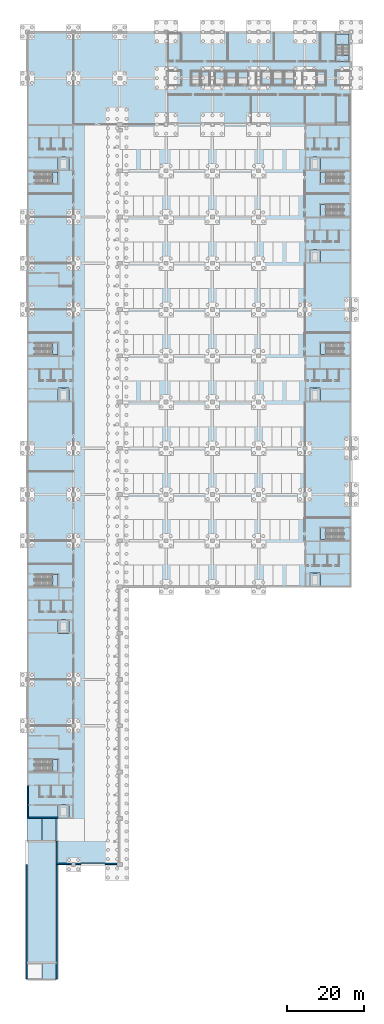
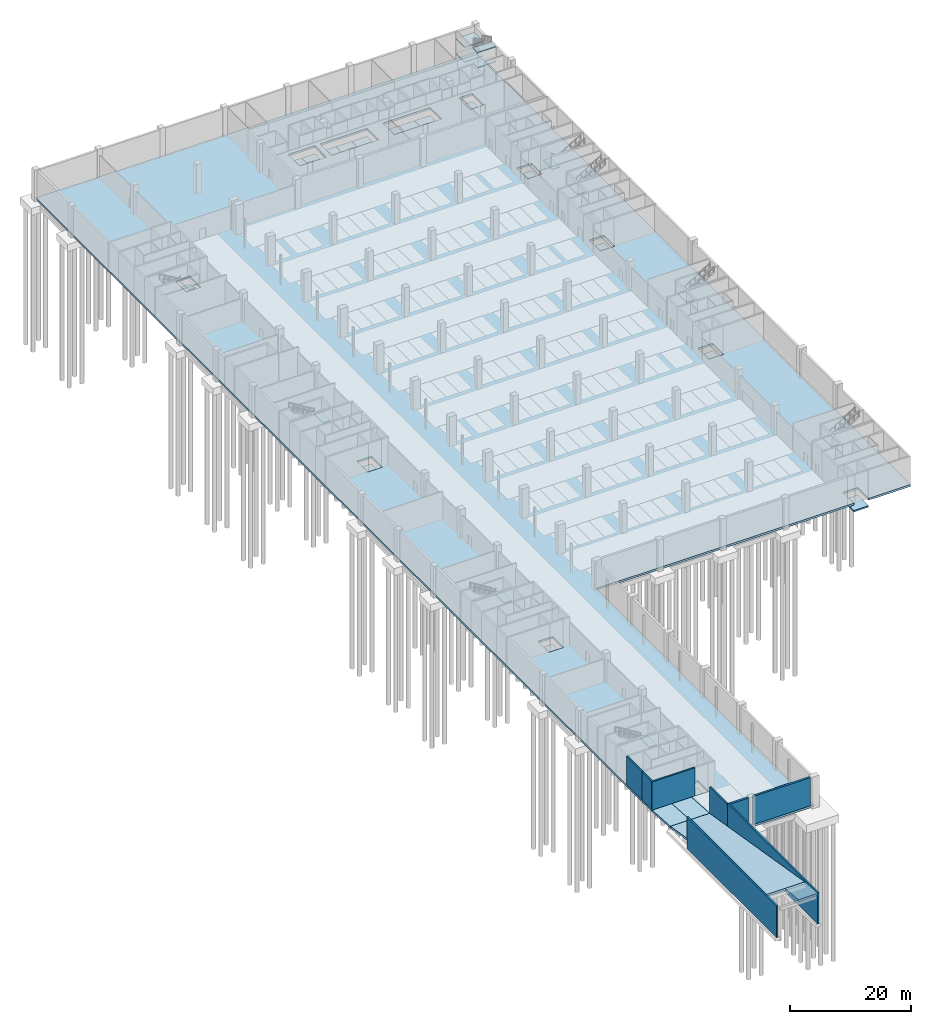
# One storey, part 15 of 34: 34 slabs, 8 walls, 9 elements without a shape of their own.
"""IFC4 building model written with IfcOpenShell, lengths in metres."""

from ifc_helpers import new_model, si_unit, direction, frame, frame_2d, origin, place, context, subcontext, project, spatial, polyline, rectangle, outline, extrude, material, layer, layer_set, type_object, element, aggregate, save


model = new_model("IFC4")

# Units and contexts
model_context = context("Model", 3, precision=1e-05, world=origin(), true_north=direction((0.0, 1.0)))
body_context = subcontext(model_context, "Body", "Model", "MODEL_VIEW")
ifc_project = project(units=[si_unit("LENGTHUNIT", "METRE"), si_unit("AREAUNIT", "SQUARE_METRE"), si_unit("VOLUMEUNIT", "CUBIC_METRE"), si_unit("PLANEANGLEUNIT", "RADIAN"), si_unit("MASSUNIT", "GRAM", prefix="KILO")], contexts=[model_context])

# Site, building, storey
site_placement = place(None, origin())
site = spatial("IfcSite", under=ifc_project, at=site_placement, CompositionType="ELEMENT")
building_placement = place(site_placement, origin())
building = spatial("IfcBuilding", under=site, at=building_placement, Name="Lilac Gate Convention Centre", CompositionType="ELEMENT")
storey_placement = place(building_placement, frame((0.0, 0.0, -6.0)))
storey = spatial("IfcBuildingStorey", under=building, at=storey_placement, Name="B1", CompositionType="ELEMENT", Elevation=-6.0)

# Slab
ifc_material_1 = material(Name="Concrete C40", Category="concrete")
ifc_layer_1 = layer(ifc_material_1, 0.39990234375)
ifc_layer_set_1 = layer_set([ifc_layer_1], Name="Concrete C40")
slab_type_1 = type_object("IfcSlabType", Name="Base slab 400 C40", PredefinedType="BASESLAB", material=ifc_layer_set_1)
slab_1_placement = place(storey_placement, frame((0.0, 0.0, -0.39990234375)))
element("IfcSlab", 1, at=slab_1_placement, inside=storey, type_object=slab_type_1, Name="BS1 slab B1 1", PredefinedType="BASESLAB", context=body_context, shape_type="SweptSolid", body=[
    extrude(outline(polyline([(90.0, 246.0), (90.0, 102.0), (82.0, 102.0), (82.0, 105.60009765625), (79.199951171875, 105.60009765625), (79.199951171875, 102.0), (30.0, 102.0), (30.0, 30.0), (13.5, 30.0), (13.5, 41.97998046875), (6.0, 41.97998046875), (6.0, 246.0), (90.0, 246.0)]), holes=[polyline([(16.800048828125, 45.60009765625), (14.0, 45.60009765625), (14.0, 42.0), (16.800048828125, 42.0), (16.800048828125, 45.60009765625)]), polyline([(16.800048828125, 93.60009765625), (14.0, 93.60009765625), (14.0, 90.0), (16.800048828125, 90.0), (16.800048828125, 93.60009765625)]), polyline([(16.800048828125, 153.60009765625), (14.0, 153.60009765625), (14.0, 150.0), (16.800048828125, 150.0), (16.800048828125, 153.60009765625)]), polyline([(16.800048828125, 213.60009765625), (14.0, 213.60009765625), (14.0, 210.0), (16.800048828125, 210.0), (16.800048828125, 213.60009765625)]), polyline([(50.949951171875, 235.89990234375), (48.39990234375, 235.89990234375), (48.39990234375, 232.10009765625), (50.949951171875, 232.10009765625), (53.5, 232.10009765625), (53.5, 235.89990234375), (50.949951171875, 235.89990234375)]), polyline([(57.5, 235.89990234375), (54.5, 235.89990234375), (54.5, 232.10009765625), (57.5, 232.10009765625), (60.5, 232.10009765625), (63.5, 232.10009765625), (63.5, 235.89990234375), (60.5, 235.89990234375), (57.5, 235.89990234375)]), polyline([(82.0, 153.60009765625), (79.199951171875, 153.60009765625), (79.199951171875, 150.0), (82.0, 150.0), (82.0, 153.60009765625)]), polyline([(82.0, 189.60009765625), (79.199951171875, 189.60009765625), (79.199951171875, 186.0), (82.0, 186.0), (82.0, 189.60009765625)]), polyline([(82.0, 213.60009765625), (79.199951171875, 213.60009765625), (79.199951171875, 210.0), (82.0, 210.0), (82.0, 213.60009765625)]), polyline([(69.5, 235.89990234375), (66.5, 235.89990234375), (66.5, 232.10009765625), (69.5, 232.10009765625), (72.5, 232.10009765625), (75.5, 232.10009765625), (75.5, 235.89990234375), (72.5, 235.89990234375), (69.5, 235.89990234375)]), polyline([(83.60009765625, 232.10009765625), (83.60009765625, 235.89990234375), (81.0, 235.89990234375), (81.0, 232.10009765625), (83.60009765625, 232.10009765625)])]), origin(), (0.0, 0.0, 1.0), 0.39990234375),
])

# Stair, slabs
stair_type_1 = type_object("IfcStairType", Name="Exit stair", PredefinedType="DOUBLE_RETURN_STAIR", material=ifc_material_1)
stair_1_placement = place(storey_placement, origin())
stair_1 = element("IfcStair", 2, at=stair_1_placement, inside=storey, type_object=stair_type_1, Name="Exit stair BN B1", PredefinedType="DOUBLE_RETURN_STAIR")
ifc_layer_2 = layer(ifc_material_1, 0.199951171875)
ifc_layer_set_2 = layer_set([ifc_layer_2], Name="Concrete C40")
slab_type_2 = type_object("IfcSlabType", Name="Exit stair landing", PredefinedType="LANDING", material=ifc_layer_set_2)
slab_2_placement = place(storey_placement, frame((0.0, 0.0, 1.300048828125)))
slab_2 = element("IfcSlab", 3, at=slab_2_placement, type_object=slab_type_2, Name="ST-BN landing 1", PredefinedType="LANDING", context=body_context, shape_type="SweptSolid", body=[
    extrude(outline(polyline([(86.0, 242.60009765625), (89.5, 242.60009765625), (89.5, 245.5), (86.0, 245.5), (86.0, 242.60009765625)])), origin(), (0.0, 0.0, 1.0), 0.199951171875),
])
slab_3_placement = place(storey_placement, frame((0.0, 0.0, 2.800048828125)))
slab_3 = element("IfcSlab", 4, at=slab_3_placement, type_object=slab_type_2, Name="ST-BN landing 2", PredefinedType="LANDING", context=body_context, shape_type="SweptSolid", body=[
    extrude(outline(polyline([(86.0, 238.300048828125), (89.5, 238.300048828125), (89.5, 239.89990234375), (86.0, 239.89990234375), (86.0, 238.300048828125)])), origin(), (0.0, 0.0, 1.0), 0.199951171875),
])
slab_4_placement = place(storey_placement, frame((0.0, 0.0, 4.300048828125)))
slab_4 = element("IfcSlab", 5, at=slab_4_placement, type_object=slab_type_2, Name="ST-BN landing 3", PredefinedType="LANDING", context=body_context, shape_type="SweptSolid", body=[
    extrude(outline(polyline([(86.0, 242.60009765625), (89.5, 242.60009765625), (89.5, 245.5), (86.0, 245.5), (86.0, 242.60009765625)])), origin(), (0.0, 0.0, 1.0), 0.199951171875),
])
slab_5_placement = place(storey_placement, frame((0.0, 0.0, 5.800048828125)))
slab_5 = element("IfcSlab", 6, at=slab_5_placement, type_object=slab_type_2, Name="ST-BN landing 4", PredefinedType="LANDING", context=body_context, shape_type="SweptSolid", body=[
    extrude(outline(polyline([(86.0, 238.300048828125), (89.5, 238.300048828125), (89.5, 239.89990234375), (86.0, 239.89990234375), (86.0, 238.300048828125)])), origin(), (0.0, 0.0, 1.0), 0.199951171875),
])
aggregate(stair_1, [slab_2, slab_3, slab_4, slab_5])

# Slabs
ifc_layer_3 = layer(ifc_material_1, 0.300048828125)
ifc_layer_set_3 = layer_set([ifc_layer_3], Name="Concrete C40")
slab_type_3 = type_object("IfcSlabType", Name="Lift pit slab 300", PredefinedType="BASESLAB", material=ifc_layer_set_3)
slab_6_placement = place(storey_placement, frame((0.0, 0.0, -1.800048828125)))
element("IfcSlab", 7, at=slab_6_placement, inside=storey, type_object=slab_type_3, Name="Lift pit slab W1", PredefinedType="BASESLAB", context=body_context, shape_type="SweptSolid", body=[
    extrude(outline(polyline([(14.0, 42.0), (16.800048828125, 42.0), (16.800048828125, 45.60009765625), (14.0, 45.60009765625), (14.0, 42.0)])), origin(), (0.0, 0.0, 1.0), 0.300048828125),
])
slab_7_placement = place(storey_placement, frame((0.0, 0.0, -1.800048828125)))
element("IfcSlab", 8, at=slab_7_placement, inside=storey, type_object=slab_type_3, Name="Lift pit slab W2", PredefinedType="BASESLAB", context=body_context, shape_type="SweptSolid", body=[
    extrude(outline(polyline([(14.0, 90.0), (16.800048828125, 90.0), (16.800048828125, 93.60009765625), (14.0, 93.60009765625), (14.0, 90.0)])), origin(), (0.0, 0.0, 1.0), 0.300048828125),
])
slab_8_placement = place(storey_placement, frame((0.0, 0.0, -1.800048828125)))
element("IfcSlab", 9, at=slab_8_placement, inside=storey, type_object=slab_type_3, Name="Lift pit slab W3", PredefinedType="BASESLAB", context=body_context, shape_type="SweptSolid", body=[
    extrude(outline(polyline([(14.0, 150.0), (16.800048828125, 150.0), (16.800048828125, 153.60009765625), (14.0, 153.60009765625), (14.0, 150.0)])), origin(), (0.0, 0.0, 1.0), 0.300048828125),
])
slab_9_placement = place(storey_placement, frame((0.0, 0.0, -1.800048828125)))
element("IfcSlab", 10, at=slab_9_placement, inside=storey, type_object=slab_type_3, Name="Lift pit slab W4", PredefinedType="BASESLAB", context=body_context, shape_type="SweptSolid", body=[
    extrude(outline(polyline([(14.0, 210.0), (16.800048828125, 210.0), (16.800048828125, 213.60009765625), (14.0, 213.60009765625), (14.0, 210.0)])), origin(), (0.0, 0.0, 1.0), 0.300048828125),
])
slab_10_placement = place(storey_placement, frame((0.0, 0.0, -1.800048828125)))
element("IfcSlab", 11, at=slab_10_placement, inside=storey, type_object=slab_type_3, Name="Lift pit slab E1", PredefinedType="BASESLAB", context=body_context, shape_type="SweptSolid", body=[
    extrude(outline(polyline([(79.199951171875, 102.0), (82.0, 102.0), (82.0, 105.60009765625), (79.199951171875, 105.60009765625), (79.199951171875, 102.0)])), origin(), (0.0, 0.0, 1.0), 0.300048828125),
])
slab_11_placement = place(storey_placement, frame((0.0, 0.0, -1.800048828125)))
element("IfcSlab", 12, at=slab_11_placement, inside=storey, type_object=slab_type_3, Name="Lift pit slab E2", PredefinedType="BASESLAB", context=body_context, shape_type="SweptSolid", body=[
    extrude(outline(polyline([(79.199951171875, 150.0), (82.0, 150.0), (82.0, 153.60009765625), (79.199951171875, 153.60009765625), (79.199951171875, 150.0)])), origin(), (0.0, 0.0, 1.0), 0.300048828125),
])
slab_12_placement = place(storey_placement, frame((0.0, 0.0, -1.800048828125)))
element("IfcSlab", 13, at=slab_12_placement, inside=storey, type_object=slab_type_3, Name="Lift pit slab E3", PredefinedType="BASESLAB", context=body_context, shape_type="SweptSolid", body=[
    extrude(outline(polyline([(79.199951171875, 186.0), (82.0, 186.0), (82.0, 189.60009765625), (79.199951171875, 189.60009765625), (79.199951171875, 186.0)])), origin(), (0.0, 0.0, 1.0), 0.300048828125),
])
slab_13_placement = place(storey_placement, frame((0.0, 0.0, -1.800048828125)))
element("IfcSlab", 14, at=slab_13_placement, inside=storey, type_object=slab_type_3, Name="Lift pit slab E4", PredefinedType="BASESLAB", context=body_context, shape_type="SweptSolid", body=[
    extrude(outline(polyline([(79.199951171875, 210.0), (82.0, 210.0), (82.0, 213.60009765625), (79.199951171875, 213.60009765625), (79.199951171875, 210.0)])), origin(), (0.0, 0.0, 1.0), 0.300048828125),
])

# Stair, slab
stair_type_2 = type_object("IfcStairType", Name="Exit stair two flights", PredefinedType="HALF_TURN_STAIR", material=ifc_material_1)
stair_2_placement = place(storey_placement, origin())
stair_2 = element("IfcStair", 15, at=stair_2_placement, inside=storey, type_object=stair_type_2, Name="Exit stair BW1 B1 to L00", PredefinedType="HALF_TURN_STAIR")
ifc_layer_4 = layer(ifc_material_1, 0.199951171875)
ifc_layer_set_4 = layer_set([ifc_layer_4], Name="Concrete C40")
slab_type_4 = type_object("IfcSlabType", Name="Stair landing 200 precast", PredefinedType="LANDING", material=ifc_layer_set_4)
slab_14_placement = place(storey_placement, frame((0.0, 0.0, 2.800048828125)))
slab_14 = element("IfcSlab", 16, at=slab_14_placement, type_object=slab_type_4, Name="ST39 landing 1", PredefinedType="LANDING", context=body_context, shape_type="SweptSolid", body=[
    extrude(outline(polyline([(12.56005859375, 54.300048828125), (14.0, 54.300048828125), (14.0, 57.300048828125), (12.56005859375, 57.300048828125), (12.56005859375, 54.300048828125)])), origin(), (0.0, 0.0, 1.0), 0.199951171875),
])
aggregate(stair_2, [slab_14])

stair_3_placement = place(storey_placement, origin())
stair_3 = element("IfcStair", 17, at=stair_3_placement, inside=storey, type_object=stair_type_2, Name="Exit stair BW2 B1 to L00", PredefinedType="HALF_TURN_STAIR")
slab_15_placement = place(storey_placement, frame((0.0, 0.0, 2.800048828125)))
slab_15 = element("IfcSlab", 18, at=slab_15_placement, type_object=slab_type_4, Name="ST40 landing 1", PredefinedType="LANDING", context=body_context, shape_type="SweptSolid", body=[
    extrude(outline(polyline([(12.56005859375, 102.300048828125), (14.0, 102.300048828125), (14.0, 105.300048828125), (12.56005859375, 105.300048828125), (12.56005859375, 102.300048828125)])), origin(), (0.0, 0.0, 1.0), 0.199951171875),
])
aggregate(stair_3, [slab_15])

stair_4_placement = place(storey_placement, origin())
stair_4 = element("IfcStair", 19, at=stair_4_placement, inside=storey, type_object=stair_type_2, Name="Exit stair BW3 B1 to L00", PredefinedType="HALF_TURN_STAIR")
slab_16_placement = place(storey_placement, frame((0.0, 0.0, 2.800048828125)))
slab_16 = element("IfcSlab", 20, at=slab_16_placement, type_object=slab_type_4, Name="ST41 landing 1", PredefinedType="LANDING", context=body_context, shape_type="SweptSolid", body=[
    extrude(outline(polyline([(12.56005859375, 162.300048828125), (14.0, 162.300048828125), (14.0, 165.300048828125), (12.56005859375, 165.300048828125), (12.56005859375, 162.300048828125)])), origin(), (0.0, 0.0, 1.0), 0.199951171875),
])
aggregate(stair_4, [slab_16])

stair_5_placement = place(storey_placement, origin())
stair_5 = element("IfcStair", 21, at=stair_5_placement, inside=storey, type_object=stair_type_2, Name="Exit stair BW4 B1 to L00", PredefinedType="HALF_TURN_STAIR")
slab_17_placement = place(storey_placement, frame((0.0, 0.0, 2.800048828125)))
slab_17 = element("IfcSlab", 22, at=slab_17_placement, type_object=slab_type_4, Name="ST42 landing 1", PredefinedType="LANDING", context=body_context, shape_type="SweptSolid", body=[
    extrude(outline(polyline([(12.56005859375, 206.699951171875), (14.0, 206.699951171875), (14.0, 209.699951171875), (12.56005859375, 209.699951171875), (12.56005859375, 206.699951171875)])), origin(), (0.0, 0.0, 1.0), 0.199951171875),
])
aggregate(stair_5, [slab_17])

stair_6_placement = place(storey_placement, origin())
stair_6 = element("IfcStair", 23, at=stair_6_placement, inside=storey, type_object=stair_type_2, Name="Exit stair BE1 B1 to L00", PredefinedType="HALF_TURN_STAIR")
slab_18_placement = place(storey_placement, frame((0.0, 0.0, 2.800048828125)))
slab_18 = element("IfcSlab", 24, at=slab_18_placement, type_object=slab_type_4, Name="ST43 landing 1", PredefinedType="LANDING", context=body_context, shape_type="SweptSolid", body=[
    extrude(outline(polyline([(82.0, 114.300048828125), (83.43994140625, 114.300048828125), (83.43994140625, 117.300048828125), (82.0, 117.300048828125), (82.0, 114.300048828125)])), origin(), (0.0, 0.0, 1.0), 0.199951171875),
])
aggregate(stair_6, [slab_18])

stair_7_placement = place(storey_placement, origin())
stair_7 = element("IfcStair", 25, at=stair_7_placement, inside=storey, type_object=stair_type_2, Name="Exit stair BE2 B1 to L00", PredefinedType="HALF_TURN_STAIR")
slab_19_placement = place(storey_placement, frame((0.0, 0.0, 2.800048828125)))
slab_19 = element("IfcSlab", 26, at=slab_19_placement, type_object=slab_type_4, Name="ST44 landing 1", PredefinedType="LANDING", context=body_context, shape_type="SweptSolid", body=[
    extrude(outline(polyline([(82.0, 162.300048828125), (83.43994140625, 162.300048828125), (83.43994140625, 165.300048828125), (82.0, 165.300048828125), (82.0, 162.300048828125)])), origin(), (0.0, 0.0, 1.0), 0.199951171875),
])
aggregate(stair_7, [slab_19])

stair_8_placement = place(storey_placement, origin())
stair_8 = element("IfcStair", 27, at=stair_8_placement, inside=storey, type_object=stair_type_2, Name="Exit stair BE3 B1 to L00", PredefinedType="HALF_TURN_STAIR")
slab_20_placement = place(storey_placement, frame((0.0, 0.0, 2.800048828125)))
slab_20 = element("IfcSlab", 28, at=slab_20_placement, type_object=slab_type_4, Name="ST45 landing 1", PredefinedType="LANDING", context=body_context, shape_type="SweptSolid", body=[
    extrude(outline(polyline([(82.0, 198.300048828125), (83.43994140625, 198.300048828125), (83.43994140625, 201.300048828125), (82.0, 201.300048828125), (82.0, 198.300048828125)])), origin(), (0.0, 0.0, 1.0), 0.199951171875),
])
aggregate(stair_8, [slab_20])

stair_9_placement = place(storey_placement, origin())
stair_9 = element("IfcStair", 29, at=stair_9_placement, inside=storey, type_object=stair_type_2, Name="Exit stair BE4 B1 to L00", PredefinedType="HALF_TURN_STAIR")
slab_21_placement = place(storey_placement, frame((0.0, 0.0, 2.800048828125)))
slab_21 = element("IfcSlab", 30, at=slab_21_placement, type_object=slab_type_4, Name="ST46 landing 1", PredefinedType="LANDING", context=body_context, shape_type="SweptSolid", body=[
    extrude(outline(polyline([(82.0, 206.699951171875), (83.43994140625, 206.699951171875), (83.43994140625, 209.699951171875), (82.0, 209.699951171875), (82.0, 206.699951171875)])), origin(), (0.0, 0.0, 1.0), 0.199951171875),
])
aggregate(stair_9, [slab_21])

# Slabs
ifc_layer_5 = layer(ifc_material_1, 0.300048828125)
ifc_layer_set_5 = layer_set([ifc_layer_5], Name="Concrete C40")
slab_type_5 = type_object("IfcSlabType", Name="Tower lift pit slab 300", PredefinedType="BASESLAB", material=ifc_layer_set_5)
slab_22_placement = place(storey_placement, frame((0.0, 0.0, -1.89990234375)))
element("IfcSlab", 31, at=slab_22_placement, inside=storey, type_object=slab_type_5, Name="Lift pit slab TP1", PredefinedType="BASESLAB", context=body_context, shape_type="SweptSolid", body=[
    extrude(outline(polyline([(54.5, 232.10009765625), (57.5, 232.10009765625), (57.5, 235.89990234375), (54.5, 235.89990234375), (54.5, 232.10009765625)])), origin(), (0.0, 0.0, 1.0), 0.2998046875),
])
slab_23_placement = place(storey_placement, frame((0.0, 0.0, -1.89990234375)))
element("IfcSlab", 32, at=slab_23_placement, inside=storey, type_object=slab_type_5, Name="Lift pit slab TP2", PredefinedType="BASESLAB", context=body_context, shape_type="SweptSolid", body=[
    extrude(outline(polyline([(57.5, 232.10009765625), (60.5, 232.10009765625), (60.5, 235.89990234375), (57.5, 235.89990234375), (57.5, 232.10009765625)])), origin(), (0.0, 0.0, 1.0), 0.2998046875),
])
slab_24_placement = place(storey_placement, frame((0.0, 0.0, -1.89990234375)))
element("IfcSlab", 33, at=slab_24_placement, inside=storey, type_object=slab_type_5, Name="Lift pit slab TP3", PredefinedType="BASESLAB", context=body_context, shape_type="SweptSolid", body=[
    extrude(outline(polyline([(60.5, 232.10009765625), (63.5, 232.10009765625), (63.5, 235.89990234375), (60.5, 235.89990234375), (60.5, 232.10009765625)])), origin(), (0.0, 0.0, 1.0), 0.2998046875),
])
slab_25_placement = place(storey_placement, frame((0.0, 0.0, -1.89990234375)))
element("IfcSlab", 34, at=slab_25_placement, inside=storey, type_object=slab_type_5, Name="Lift pit slab TP4", PredefinedType="BASESLAB", context=body_context, shape_type="SweptSolid", body=[
    extrude(outline(polyline([(66.5, 232.10009765625), (69.5, 232.10009765625), (69.5, 235.89990234375), (66.5, 235.89990234375), (66.5, 232.10009765625)])), origin(), (0.0, 0.0, 1.0), 0.2998046875),
])
slab_26_placement = place(storey_placement, frame((0.0, 0.0, -1.89990234375)))
element("IfcSlab", 35, at=slab_26_placement, inside=storey, type_object=slab_type_5, Name="Lift pit slab TP5", PredefinedType="BASESLAB", context=body_context, shape_type="SweptSolid", body=[
    extrude(outline(polyline([(69.5, 232.10009765625), (72.5, 232.10009765625), (72.5, 235.89990234375), (69.5, 235.89990234375), (69.5, 232.10009765625)])), origin(), (0.0, 0.0, 1.0), 0.2998046875),
])
slab_27_placement = place(storey_placement, frame((0.0, 0.0, -1.89990234375)))
element("IfcSlab", 36, at=slab_27_placement, inside=storey, type_object=slab_type_5, Name="Lift pit slab TP6", PredefinedType="BASESLAB", context=body_context, shape_type="SweptSolid", body=[
    extrude(outline(polyline([(72.5, 232.10009765625), (75.5, 232.10009765625), (75.5, 235.89990234375), (72.5, 235.89990234375), (72.5, 232.10009765625)])), origin(), (0.0, 0.0, 1.0), 0.2998046875),
])
slab_28_placement = place(storey_placement, frame((0.0, 0.0, -1.89990234375)))
element("IfcSlab", 37, at=slab_28_placement, inside=storey, type_object=slab_type_5, Name="Lift pit slab TS1", PredefinedType="BASESLAB", context=body_context, shape_type="SweptSolid", body=[
    extrude(outline(polyline([(48.39990234375, 232.10009765625), (50.949951171875, 232.10009765625), (50.949951171875, 235.89990234375), (48.39990234375, 235.89990234375), (48.39990234375, 232.10009765625)])), origin(), (0.0, 0.0, 1.0), 0.2998046875),
])
slab_29_placement = place(storey_placement, frame((0.0, 0.0, -1.89990234375)))
element("IfcSlab", 38, at=slab_29_placement, inside=storey, type_object=slab_type_5, Name="Lift pit slab TS2", PredefinedType="BASESLAB", context=body_context, shape_type="SweptSolid", body=[
    extrude(outline(polyline([(50.949951171875, 232.10009765625), (53.5, 232.10009765625), (53.5, 235.89990234375), (50.949951171875, 235.89990234375), (50.949951171875, 232.10009765625)])), origin(), (0.0, 0.0, 1.0), 0.2998046875),
])
slab_30_placement = place(storey_placement, frame((0.0, 0.0, -1.89990234375)))
element("IfcSlab", 39, at=slab_30_placement, inside=storey, type_object=slab_type_5, Name="Lift pit slab TF1", PredefinedType="BASESLAB", context=body_context, shape_type="SweptSolid", body=[
    extrude(outline(polyline([(81.0, 232.10009765625), (83.60009765625, 232.10009765625), (83.60009765625, 235.89990234375), (81.0, 235.89990234375), (81.0, 232.10009765625)])), origin(), (0.0, 0.0, 1.0), 0.2998046875),
])
ifc_layer_6 = layer(ifc_material_1, 0.39990234375)
ifc_layer_set_6 = layer_set([ifc_layer_6], Name="Concrete C40")
slab_type_6 = type_object("IfcSlabType", Name="Vehicle ramp slab 400 C40", PredefinedType="USERDEFINED", material=ifc_layer_set_6)
slab_31_placement = place(storey_placement, frame((11.625, 0.10009765625, 6.0), z_axis=(0.0, 0.0, 1.0), x_axis=(0.0, 1.0, 0.0)))
element("IfcSlab", 40, at=slab_31_placement, inside=storey, type_object=slab_type_6, Name="Vehicle ramp slab 2", ObjectType="VEHICLE RAMP", PredefinedType="USERDEFINED", context=body_context, shape_type="SweptSolid", body=[
    extrude(outline(polyline([(0.0, 0.0), (4.39990234375, -0.375), (4.39990234375, -0.7763671875), (0.0, -0.4013671875), (0.0, 0.0)])), frame((0.0, 1.875, 0.0), z_axis=(0.0, -1.0, 0.0), x_axis=(1.0, 0.0, 0.0)), (0.0, 0.0, 1.0), 3.75),
])
slab_32_placement = place(storey_placement, frame((9.75, 4.5, 5.625), z_axis=(0.0, 0.0, 1.0), x_axis=(0.0, 1.0, 0.0)))
element("IfcSlab", 41, at=slab_32_placement, inside=storey, type_object=slab_type_6, Name="Vehicle ramp slab 3", ObjectType="VEHICLE RAMP", PredefinedType="USERDEFINED", context=body_context, shape_type="SweptSolid", body=[
    extrude(outline(polyline([(0.0, 0.0), (31.5, -5.25), (31.5, -5.655517578125), (0.0, -0.405517578125), (0.0, 0.0)])), frame((0.0, 3.75, 0.0), z_axis=(0.0, -1.0, 0.0), x_axis=(1.0, 0.0, 0.0)), (0.0, 0.0, 1.0), 7.5),
])
for number, where, z_axis, x_axis, name in (
    (42, (7.875, 36.0, 0.375), (0.0, 0.0, 1.0), (0.0, 1.0, 0.0), "Vehicle ramp slab 4"),
    (43, (11.625, 36.0, 0.375), (0.0, 0.0, 1.0), (0.0, 1.0, 0.0), "Vehicle ramp slab 5"),
):
    element("IfcSlab", number, at=place(storey_placement, frame(where, z_axis=z_axis, x_axis=x_axis)), inside=storey, type_object=slab_type_6, Name=name, ObjectType="VEHICLE RAMP", PredefinedType="USERDEFINED", context=body_context, shape_type="SweptSolid", body=[
        extrude(outline(polyline([(0.0, 0.0), (6.0, -0.375), (6.0, -0.77587890625), (0.0, -0.40087890625), (0.0, 0.0)])), frame((0.0, 1.875, 0.0), z_axis=(0.0, -1.0, 0.0), x_axis=(1.0, 0.0, 0.0)), (0.0, 0.0, 1.0), 3.75),
    ])

# Walls
ifc_material_2 = material(Name="Concrete C35", Category="concrete")
ifc_layer_7 = layer(ifc_material_2, 0.39990234375)
ifc_layer_set_7 = layer_set([ifc_layer_7], Name="Concrete C35")
wall_type_1 = type_object("IfcWallType", Name="Basement wall 400 C35", PredefinedType="SOLIDWALL", material=ifc_layer_set_7)
wall_1_placement = place(storey_placement, frame((13.5, 30.199951171875, 0.0), z_axis=(0.0, 0.0, 1.0), x_axis=(1.0, 0.0, 0.0)))
element("IfcWall", 44, at=wall_1_placement, inside=storey, type_object=wall_type_1, Name="SW2 basement wall 1 at 1/A", PredefinedType="SOLIDWALL", context=body_context, shape_type="SweptSolid", body=[
    extrude(rectangle(XDim=4.0, YDim=0.39990234375, at=frame_2d((2.0, 0.0))), origin(), (0.0, 0.0, 1.0), 5.699951171875),
])
wall_2_placement = place(storey_placement, frame((18.5, 30.199951171875, 0.0), z_axis=(0.0, 0.0, 1.0), x_axis=(1.0, 0.0, 0.0)))
element("IfcWall", 45, at=wall_2_placement, inside=storey, type_object=wall_type_1, Name="SW2 basement wall 2 at 1/A", PredefinedType="SOLIDWALL", context=body_context, shape_type="SweptSolid", body=[
    extrude(rectangle(XDim=10.800048828125, YDim=0.39990234375, at=frame_2d((5.39990234375, 0.0))), origin(), (0.0, 0.0, 1.0), 5.699951171875),
])
ifc_layer_8 = layer(ifc_material_1, 0.300048828125)
ifc_layer_set_8 = layer_set([ifc_layer_8], Name="Concrete C40")
wall_type_2 = type_object("IfcWallType", Name="Ramp retaining wall 300", PredefinedType="SHEAR", material=ifc_layer_set_8)
for number, where, z_axis, x_axis, name in (
    (46, (5.85009765625, 0.304931640625, -0.39990234375), (0.0, 0.0, 1.0), (0.0, 1.0, 0.0), "Ramp retaining wall W"),
    (47, (13.64990234375, 0.304931640625, -0.39990234375), (0.0, 0.0, 1.0), (0.0, 1.0, 0.0), "Ramp retaining wall E"),
):
    element("IfcWall", number, at=place(storey_placement, frame(where, z_axis=z_axis, x_axis=x_axis)), inside=storey, type_object=wall_type_2, Name=name, PredefinedType="SHEAR", context=body_context, shape_type="SweptSolid", body=[
        extrude(rectangle(XDim=29.695068359375, YDim=0.300048828125, at=frame_2d((14.84765625, 0.0))), origin(), (0.0, 0.0, 1.0), 6.39990234375),
    ])
wall_3_placement = place(storey_placement, frame((13.64990234375, 30.0, 0.0), z_axis=(0.0, 0.0, 1.0), x_axis=(0.0, 1.0, 0.0)))
element("IfcWall", 48, at=wall_3_placement, inside=storey, type_object=wall_type_2, Name="Ramp wall basement side", PredefinedType="SHEAR", context=body_context, shape_type="SweptSolid", body=[
    extrude(rectangle(XDim=6.0, YDim=0.300048828125, at=frame_2d((3.0, 0.0))), origin(), (0.0, 0.0, 1.0), 5.699951171875),
])
ifc_layer_9 = layer(ifc_material_1, 0.300048828125)
ifc_layer_set_9 = layer_set([ifc_layer_9], Name="Concrete C40")
wall_type_3 = type_object("IfcWallType", Name="Shear wall 300 C40", PredefinedType="SHEAR", material=ifc_layer_set_9)
wall_4_placement = place(storey_placement, frame((6.0, 42.14990234375, 0.0), z_axis=(0.0, 0.0, 1.0), x_axis=(1.0, 0.0, 0.0)))
element("IfcWall", 49, at=wall_4_placement, inside=storey, type_object=wall_type_3, Name="SW1 shear wall W1 B1 1", PredefinedType="SHEAR", context=body_context, shape_type="SweptSolid", body=[
    extrude(rectangle(XDim=8.14990234375, YDim=0.300048828125, at=frame_2d((4.074951171875, 0.0))), origin(), (0.0, 0.0, 1.0), 5.699951171875),
])
wall_5_placement = place(storey_placement, frame((6.14990234375, 42.300048828125, 0.0), z_axis=(0.0, 0.0, 1.0), x_axis=(0.0, 1.0, 0.0)))
element("IfcWall", 50, at=wall_5_placement, inside=storey, type_object=wall_type_3, Name="SW1 shear wall W1 B1 11", PredefinedType="SHEAR", context=body_context, shape_type="SweptSolid", body=[
    extrude(rectangle(XDim=3.14990234375, YDim=0.300048828125, at=frame_2d((1.574951171875, 0.0))), origin(), (0.0, 0.0, 1.0), 5.699951171875),
])
wall_6_placement = place(storey_placement, frame((6.14990234375, 45.449951171875, 0.0), z_axis=(0.0, 0.0, 1.0), x_axis=(0.0, 1.0, 0.0)))
element("IfcWall", 51, at=wall_6_placement, inside=storey, type_object=wall_type_3, Name="SW1 shear wall W1 B1 12", PredefinedType="SHEAR", context=body_context, shape_type="SweptSolid", body=[
    extrude(rectangle(XDim=5.10009765625, YDim=0.300048828125, at=frame_2d((2.550048828125, 0.0))), origin(), (0.0, 0.0, 1.0), 5.699951171875),
])

save(model, "model.ifc")
